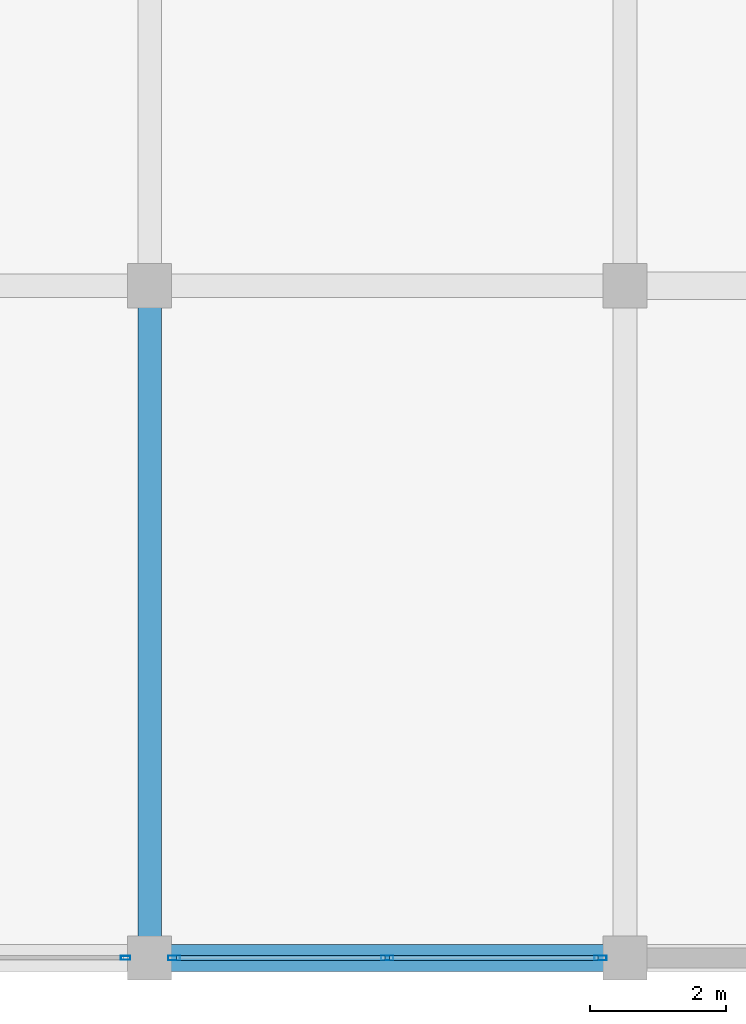
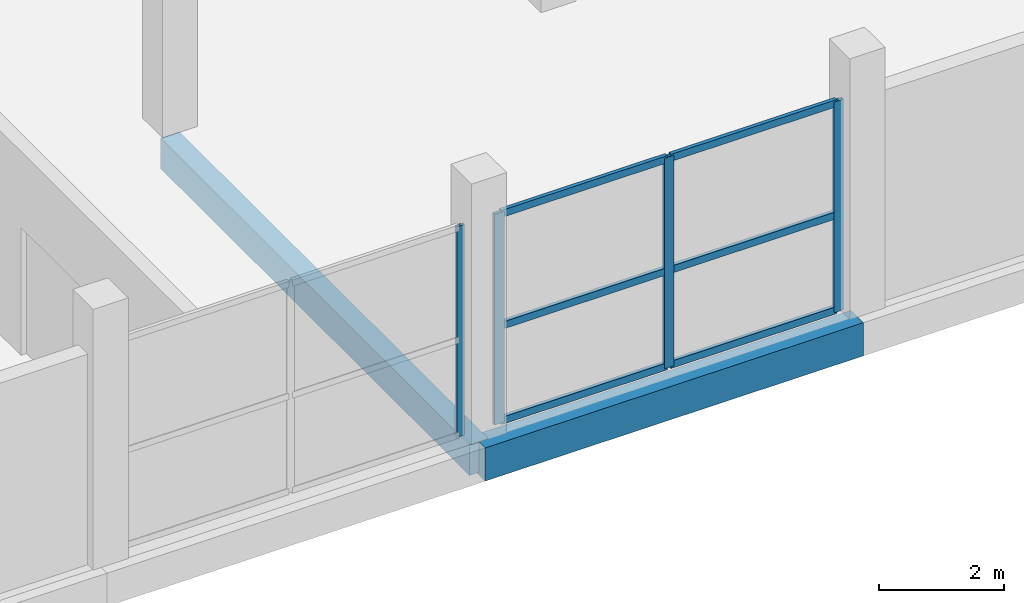
# One storey, part 4 of 66: 10 members, 2 beams, 2 elements without a shape of their own.
"""IFC4 building model written with IfcOpenShell, lengths in metres."""

from ifc_helpers import new_model, si_unit, direction, frame, origin, origin_2d, place, context, subcontext, project, spatial, rectangle, hollow_rectangle, extrude, material, layer, layer_set, material_profile, profile_set, type_object, element, aggregate, save


model = new_model("IFC4")

# Units and contexts
model_context = context("Model", 3, precision=1e-05, world=origin(), true_north=direction((0.0, 1.0)))
body_context = subcontext(model_context, "Body", "Model", "MODEL_VIEW")
ifc_project = project(units=[si_unit("LENGTHUNIT", "METRE"), si_unit("AREAUNIT", "SQUARE_METRE"), si_unit("VOLUMEUNIT", "CUBIC_METRE"), si_unit("PLANEANGLEUNIT", "RADIAN"), si_unit("MASSUNIT", "GRAM", prefix="KILO")], contexts=[model_context])

# Site, building, storey
site_placement = place(None, origin())
site = spatial("IfcSite", under=ifc_project, at=site_placement, CompositionType="ELEMENT")
building_placement = place(site_placement, origin())
building = spatial("IfcBuilding", under=site, at=building_placement, Name="Sillaruma Civic Art Gallery", CompositionType="ELEMENT")
storey_placement = place(building_placement, frame((0.0, 0.0, 57.1201171875)))
storey = spatial("IfcBuildingStorey", under=building, at=storey_placement, Name="L11", CompositionType="ELEMENT", Elevation=57.1201171875)

# Beams
ifc_material_1 = material(Name="Concrete H35 (35 MPa)", Category="concrete")
ifc_material_profile_1 = material_profile(ifc_material_1, rectangle(XDim=0.35009765625, YDim=0.60009765625, at=origin_2d()), Name="RCB350x600")
ifc_profile_set_1 = profile_set([ifc_material_profile_1], Name="Concrete H35 (35 MPa)")
beam_type_1 = type_object("IfcBeamType", Name="BM-BEAM-RCB350x600", PredefinedType="BEAM", material=ifc_profile_set_1)
beam_1_placement = place(storey_placement, frame((77.0, 19.800048828125, -0.550048828125), z_axis=(0.0, 1.0, 0.0), x_axis=(-1.0, 0.0, 0.0)))
element("IfcBeam", 1, at=beam_1_placement, inside=storey, type_object=beam_type_1, Name="Beam BM-06 (L10:H:3-4)", PredefinedType="BEAM", context=body_context, shape_type="SweptSolid", body=[
    extrude(rectangle(XDim=0.35009765625, YDim=0.60009765625, at=origin_2d()), origin(), (0.0, 0.0, 1.0), 9.89990234375),
])
ifc_material_profile_2 = material_profile(ifc_material_1, rectangle(XDim=0.39990234375, YDim=0.64990234375, at=origin_2d()), Name="RCB400x650")
ifc_profile_set_2 = profile_set([ifc_material_profile_2], Name="Concrete H35 (35 MPa)")
beam_type_2 = type_object("IfcBeamType", Name="BM-SPANDREL-RCB400x650", PredefinedType="SPANDREL", material=ifc_profile_set_2)
beam_2_placement = place(storey_placement, frame((77.0, 19.800048828125, -0.5751953125), z_axis=(1.0, 0.0, 0.0), x_axis=(0.0, 1.0, 0.0)))
element("IfcBeam", 2, at=beam_2_placement, inside=storey, type_object=beam_type_2, Name="Beam BS-02 (L10:3:H-J)", PredefinedType="SPANDREL", context=body_context, shape_type="SweptSolid", body=[
    extrude(rectangle(XDim=0.39990234375, YDim=0.64990234375, at=origin_2d()), origin(), (0.0, 0.0, 1.0), 7.0),
])

# Curtain wall, member
ifc_material_2 = material(Name="Thermally Broken Extruded Aluminium 6063-T6", Category="aluminium")
ifc_layer_1 = layer(ifc_material_2, 0.139892578125, Name="Thermally Broken Extruded Aluminium 6063-T6")
ifc_layer_set_1 = layer_set([ifc_layer_1], Name="Thermally Broken Extruded Aluminium 6063-T6")
curtain_wall_type_1 = type_object("IfcCurtainWallType", Name="CW-UNI-76", PredefinedType="NOTDEFINED", material=ifc_layer_set_1)
curtain_wall_1_placement = place(storey_placement, origin())
curtain_wall_1 = element("IfcCurtainWall", 3, at=curtain_wall_1_placement, inside=storey, type_object=curtain_wall_type_1, Name="Unitised Curtain Wall CW-76 (CW-L11-WBS-2)", PredefinedType="NOTDEFINED")
ifc_material_profile_3 = material_profile(ifc_material_2, hollow_rectangle(XDim=0.06005859375, YDim=0.139892578125, WallThickness=0.00341796875, at=origin_2d()), Name="CWM60x140")
ifc_profile_set_3 = profile_set([ifc_material_profile_3], Name="Thermally Broken Extruded Aluminium 6063-T6")
member_type_1 = type_object("IfcMemberType", Name="MEM-MUL-CWM60x140", PredefinedType="MULLION", material=ifc_profile_set_3)
member_1_placement = place(storey_placement, frame((76.64501953125, 19.800048828125, 0.0), z_axis=(0.0, 0.0, 1.0), x_axis=(0.0, 1.0, 0.0)))
member_1 = element("IfcMember", 4, at=member_1_placement, type_object=member_type_1, Name="CW-76 mullion 3", PredefinedType="MULLION", context=body_context, shape_type="SweptSolid", body=[
    extrude(hollow_rectangle(XDim=0.06005859375, YDim=0.139892578125, WallThickness=0.00341796875, at=origin_2d()), origin(), (0.0, 0.0, 1.0), 4.119873046875),
])
aggregate(curtain_wall_1, [member_1])

# Curtain wall, members
ifc_layer_2 = layer(ifc_material_2, 0.179931640625, Name="Thermally Broken Extruded Aluminium 6063-T6")
ifc_layer_set_2 = layer_set([ifc_layer_2], Name="Thermally Broken Extruded Aluminium 6063-T6")
curtain_wall_type_2 = type_object("IfcCurtainWallType", Name="CW-UNI-86", PredefinedType="NOTDEFINED", material=ifc_layer_set_2)
curtain_wall_2_placement = place(storey_placement, origin())
curtain_wall_2 = element("IfcCurtainWall", 5, at=curtain_wall_2_placement, inside=storey, type_object=curtain_wall_type_2, Name="Unitised Curtain Wall CW-86 (CW-L11-WBS-3)", PredefinedType="NOTDEFINED")
ifc_material_profile_4 = material_profile(ifc_material_2, hollow_rectangle(XDim=0.070068359375, YDim=0.179931640625, WallThickness=0.00390625, at=origin_2d()), Name="CWM70x180")
ifc_profile_set_4 = profile_set([ifc_material_profile_4], Name="Thermally Broken Extruded Aluminium 6063-T6")
member_type_2 = type_object("IfcMemberType", Name="MEM-MUL-CWM70x180", PredefinedType="MULLION", material=ifc_profile_set_4)
member_2_placement = place(storey_placement, frame((77.360107421875, 19.800048828125, 0.0), z_axis=(0.0, 0.0, 1.0), x_axis=(0.0, 1.0, 0.0)))
member_2 = element("IfcMember", 6, at=member_2_placement, type_object=member_type_2, Name="CW-86 mullion 1", PredefinedType="MULLION", context=body_context, shape_type="SweptSolid", body=[
    extrude(hollow_rectangle(XDim=0.070068359375, YDim=0.179931640625, WallThickness=0.00390625, at=origin_2d()), origin(), (0.0, 0.0, 1.0), 4.119873046875),
])
member_3_placement = place(storey_placement, frame((80.5, 19.800048828125, 0.0), z_axis=(0.0, 0.0, 1.0), x_axis=(0.0, 1.0, 0.0)))
member_3 = element("IfcMember", 7, at=member_3_placement, type_object=member_type_2, Name="CW-86 mullion 2", PredefinedType="MULLION", context=body_context, shape_type="SweptSolid", body=[
    extrude(hollow_rectangle(XDim=0.070068359375, YDim=0.179931640625, WallThickness=0.00390625, at=origin_2d()), origin(), (0.0, 0.0, 1.0), 4.119873046875),
])
member_4_placement = place(storey_placement, frame((83.639892578125, 19.800048828125, 0.0), z_axis=(0.0, 0.0, 1.0), x_axis=(0.0, 1.0, 0.0)))
member_4 = element("IfcMember", 8, at=member_4_placement, type_object=member_type_2, Name="CW-86 mullion 3", PredefinedType="MULLION", context=body_context, shape_type="SweptSolid", body=[
    extrude(hollow_rectangle(XDim=0.070068359375, YDim=0.179931640625, WallThickness=0.00390625, at=origin_2d()), origin(), (0.0, 0.0, 1.0), 4.119873046875),
])
ifc_material_profile_5 = material_profile(ifc_material_2, hollow_rectangle(XDim=0.070068359375, YDim=0.139892578125, WallThickness=0.00390625, at=origin_2d()), Name="CWT70x140")
ifc_profile_set_5 = profile_set([ifc_material_profile_5], Name="Thermally Broken Extruded Aluminium 6063-T6")
member_type_3 = type_object("IfcMemberType", Name="MEM-TRN-CWT70x140", PredefinedType="USERDEFINED", material=ifc_profile_set_5)
member_5_placement = place(storey_placement, frame((77.39501953125, 19.800048828125, 0.034912109375), z_axis=(1.0, 0.0, 0.0), x_axis=(0.0, 1.0, 0.0)))
member_5 = element("IfcMember", 9, at=member_5_placement, type_object=member_type_3, Name="CW-86 transom 1.1", ObjectType="TRANSOM", PredefinedType="USERDEFINED", context=body_context, shape_type="SweptSolid", body=[
    extrude(hollow_rectangle(XDim=0.070068359375, YDim=0.139892578125, WallThickness=0.00390625, at=origin_2d()), origin(), (0.0, 0.0, 1.0), 3.070068359375),
])
member_6_placement = place(storey_placement, frame((77.39501953125, 19.800048828125, 1.89501953125), z_axis=(1.0, 0.0, 0.0), x_axis=(0.0, 1.0, 0.0)))
member_6 = element("IfcMember", 10, at=member_6_placement, type_object=member_type_3, Name="CW-86 transom 1.2", ObjectType="TRANSOM", PredefinedType="USERDEFINED", context=body_context, shape_type="SweptSolid", body=[
    extrude(hollow_rectangle(XDim=0.070068359375, YDim=0.139892578125, WallThickness=0.00390625, at=origin_2d()), origin(), (0.0, 0.0, 1.0), 3.070068359375),
])
member_7_placement = place(storey_placement, frame((77.39501953125, 19.800048828125, 4.0849609375), z_axis=(1.0, 0.0, 0.0), x_axis=(0.0, 1.0, 0.0)))
member_7 = element("IfcMember", 11, at=member_7_placement, type_object=member_type_3, Name="CW-86 transom 1.3", ObjectType="TRANSOM", PredefinedType="USERDEFINED", context=body_context, shape_type="SweptSolid", body=[
    extrude(hollow_rectangle(XDim=0.070068359375, YDim=0.139892578125, WallThickness=0.00390625, at=origin_2d()), origin(), (0.0, 0.0, 1.0), 3.070068359375),
])
member_8_placement = place(storey_placement, frame((80.534912109375, 19.800048828125, 0.034912109375), z_axis=(1.0, 0.0, 0.0), x_axis=(0.0, 1.0, 0.0)))
member_8 = element("IfcMember", 12, at=member_8_placement, type_object=member_type_3, Name="CW-86 transom 2.1", ObjectType="TRANSOM", PredefinedType="USERDEFINED", context=body_context, shape_type="SweptSolid", body=[
    extrude(hollow_rectangle(XDim=0.070068359375, YDim=0.139892578125, WallThickness=0.00390625, at=origin_2d()), origin(), (0.0, 0.0, 1.0), 3.070068359375),
])
member_9_placement = place(storey_placement, frame((80.534912109375, 19.800048828125, 1.89501953125), z_axis=(1.0, 0.0, 0.0), x_axis=(0.0, 1.0, 0.0)))
member_9 = element("IfcMember", 13, at=member_9_placement, type_object=member_type_3, Name="CW-86 transom 2.2", ObjectType="TRANSOM", PredefinedType="USERDEFINED", context=body_context, shape_type="SweptSolid", body=[
    extrude(hollow_rectangle(XDim=0.070068359375, YDim=0.139892578125, WallThickness=0.00390625, at=origin_2d()), origin(), (0.0, 0.0, 1.0), 3.070068359375),
])
member_10_placement = place(storey_placement, frame((80.534912109375, 19.800048828125, 4.0849609375), z_axis=(1.0, 0.0, 0.0), x_axis=(0.0, 1.0, 0.0)))
member_10 = element("IfcMember", 14, at=member_10_placement, type_object=member_type_3, Name="CW-86 transom 2.3", ObjectType="TRANSOM", PredefinedType="USERDEFINED", context=body_context, shape_type="SweptSolid", body=[
    extrude(hollow_rectangle(XDim=0.070068359375, YDim=0.139892578125, WallThickness=0.00390625, at=origin_2d()), origin(), (0.0, 0.0, 1.0), 3.070068359375),
])
aggregate(curtain_wall_2, [member_2, member_3, member_4, member_5, member_6, member_7, member_8, member_9, member_10])

save(model, "model.ifc")
